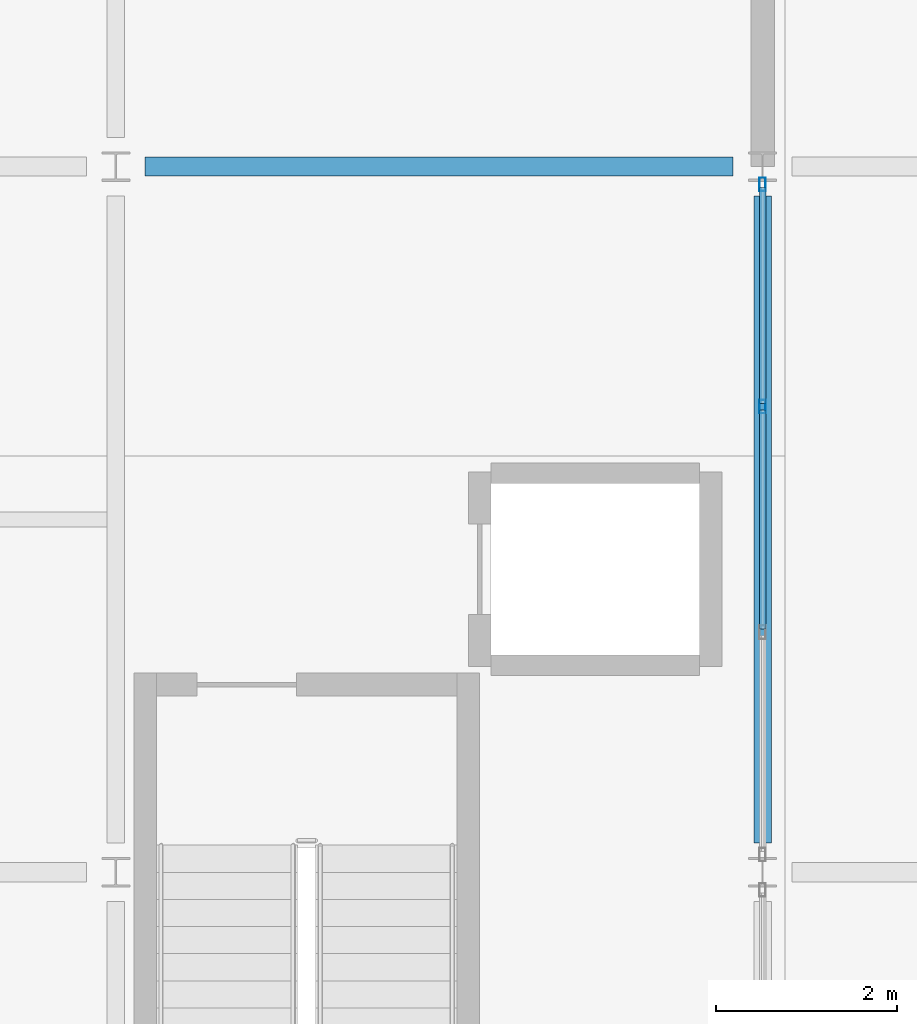
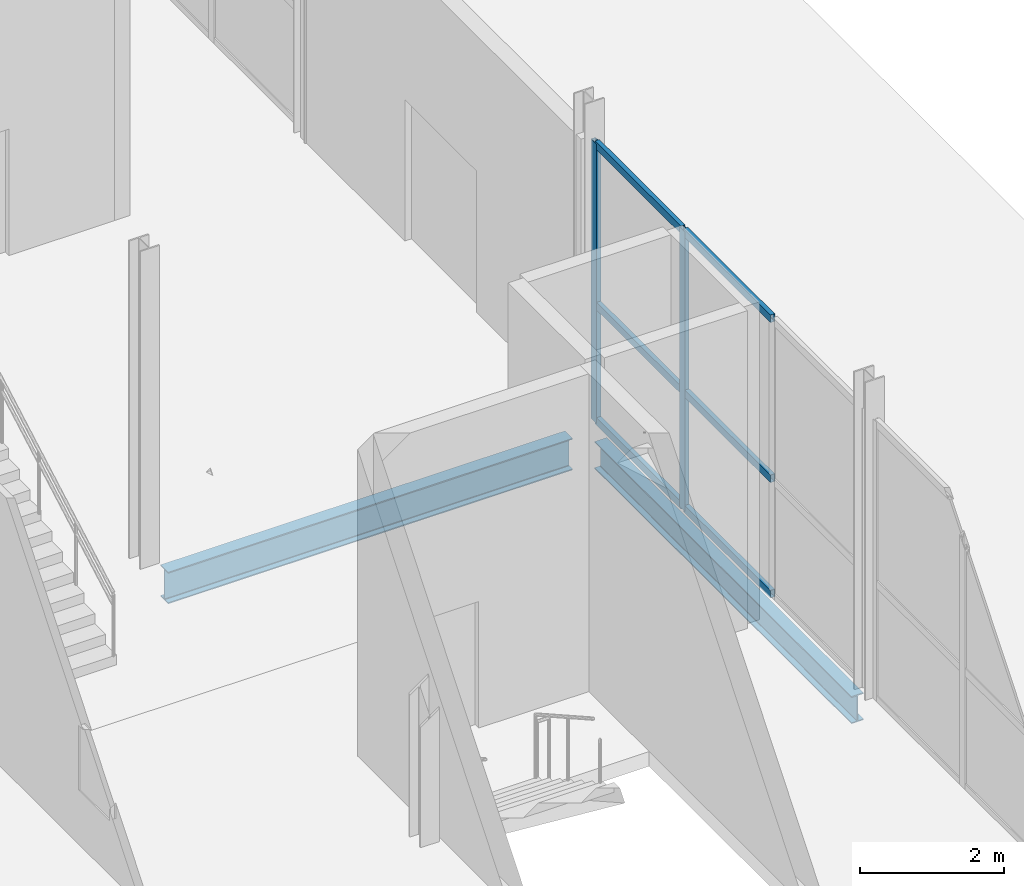
# One storey, part 16 of 83: 8 members, 2 beams, 1 element without a shape of its own.
"""IFC4 building model written with IfcOpenShell, lengths in metres."""

from ifc_helpers import new_model, si_unit, direction, frame, origin, origin_2d, place, context, subcontext, project, spatial, hollow_rectangle, i_section, extrude, material, layer, layer_set, material_profile, profile_set, type_object, element, aggregate, save


model = new_model("IFC4")

# Units and contexts
model_context = context("Model", 3, precision=1e-05, world=origin(), true_north=direction((0.0, 1.0)))
body_context = subcontext(model_context, "Body", "Model", "MODEL_VIEW")
ifc_project = project(units=[si_unit("LENGTHUNIT", "METRE"), si_unit("AREAUNIT", "SQUARE_METRE"), si_unit("VOLUMEUNIT", "CUBIC_METRE"), si_unit("PLANEANGLEUNIT", "RADIAN"), si_unit("MASSUNIT", "GRAM", prefix="KILO")], contexts=[model_context])

# Site, building, storey
site_placement = place(None, origin())
site = spatial("IfcSite", under=ifc_project, at=site_placement, CompositionType="ELEMENT")
building_placement = place(site_placement, origin())
building = spatial("IfcBuilding", under=site, at=building_placement, Name="Quillay Park Conservatory", CompositionType="ELEMENT")
storey_placement = place(building_placement, origin())
storey = spatial("IfcBuildingStorey", under=building, at=storey_placement, Name="L00", CompositionType="ELEMENT", Elevation=0.0)

# Curtain wall, members
ifc_material_1 = material(Name="Thermally Broken Anodised Aluminium 6063-T6", Category="aluminium")
ifc_layer = layer(ifc_material_1, 0.1650390625)
ifc_layer_set = layer_set([ifc_layer], Name="UNITISED CURTAIN WALL PODIUM (Thermally Broken Anodised Aluminium 6063-T6)")
curtain_wall_type = type_object("IfcCurtainWallType", Name="UNITISED CURTAIN WALL PODIUM", PredefinedType="USERDEFINED", material=ifc_layer_set)
curtain_wall_placement = place(storey_placement, origin())
curtain_wall = element("IfcCurtainWall", 1, at=curtain_wall_placement, inside=storey, type_object=curtain_wall_type, Name="L00 Unitised Curtain Wall 197", ObjectType="UNITISED CURTAIN WALL", PredefinedType="USERDEFINED")
ifc_material_2 = material(Name="Thermally Broken Anodised Aluminium 6063-T6", Category="aluminium")
ifc_material_profile_1 = material_profile(ifc_material_2, hollow_rectangle(XDim=0.070068359375, YDim=0.14990234375, WallThickness=0.00341796875, at=origin_2d()), Name="AL70x150x3.5")
ifc_profile_set_1 = profile_set([ifc_material_profile_1], Name="Thermally Broken Anodised Aluminium 6063-T6")
member_type_1 = type_object("IfcMemberType", Name="CURTAIN WALL MULLION 70 X150", PredefinedType="MULLION", material=ifc_profile_set_1)
member_1_placement = place(storey_placement, frame((22.14990234375, 31.0048828125, 0.0), z_axis=(0.0, 0.0, 1.0), x_axis=(1.0, 0.0, 0.0)))
member_1 = element("IfcMember", 2, at=member_1_placement, type_object=member_type_1, Name="CW-P1 mullion 1", PredefinedType="MULLION", context=body_context, shape_type="SweptSolid", body=[
    extrude(hollow_rectangle(XDim=0.070068359375, YDim=0.14990234375, WallThickness=0.00341796875, at=origin_2d()), origin(), (0.0, 0.0, 1.0), 4.7490234375),
])
member_2_placement = place(storey_placement, frame((22.14990234375, 28.546630859375, 0.0), z_axis=(0.0, 0.0, 1.0), x_axis=(1.0, 0.0, 0.0)))
member_2 = element("IfcMember", 3, at=member_2_placement, type_object=member_type_1, Name="CW-P1 mullion 2", PredefinedType="MULLION", context=body_context, shape_type="SweptSolid", body=[
    extrude(hollow_rectangle(XDim=0.070068359375, YDim=0.14990234375, WallThickness=0.00341796875, at=origin_2d()), origin(), (0.0, 0.0, 1.0), 4.7490234375),
])
ifc_material_3 = material(Name="Thermally Broken Anodised Aluminium 6063-T6", Category="aluminium")
ifc_material_profile_2 = material_profile(ifc_material_3, hollow_rectangle(XDim=0.070068359375, YDim=0.1298828125, WallThickness=0.003173828125, at=origin_2d()), Name="AL70x130x3.2")
ifc_profile_set_2 = profile_set([ifc_material_profile_2], Name="Thermally Broken Anodised Aluminium 6063-T6")
member_type_2 = type_object("IfcMemberType", Name="CURTAIN WALL TRANSOM 70 X130", PredefinedType="USERDEFINED", material=ifc_profile_set_2)
member_3_placement = place(storey_placement, frame((22.14990234375, 30.969970703125, 0.034912109375), z_axis=(0.0, -1.0, 0.0), x_axis=(1.0, 0.0, 0.0)))
member_3 = element("IfcMember", 4, at=member_3_placement, type_object=member_type_2, Name="CW-P1 transom 1.1", ObjectType="TRANSOM", PredefinedType="USERDEFINED", context=body_context, shape_type="SweptSolid", body=[
    extrude(hollow_rectangle(XDim=0.070068359375, YDim=0.1298828125, WallThickness=0.003173828125, at=origin_2d()), origin(), (0.0, 0.0, 1.0), 2.38818359375),
])
member_4_placement = place(storey_placement, frame((22.14990234375, 30.969970703125, 1.99462890625), z_axis=(0.0, -1.0, 0.0), x_axis=(1.0, 0.0, 0.0)))
member_4 = element("IfcMember", 5, at=member_4_placement, type_object=member_type_2, Name="CW-P1 transom 1.2", ObjectType="TRANSOM", PredefinedType="USERDEFINED", context=body_context, shape_type="SweptSolid", body=[
    extrude(hollow_rectangle(XDim=0.070068359375, YDim=0.1298828125, WallThickness=0.003173828125, at=origin_2d()), origin(), (0.0, 0.0, 1.0), 2.38818359375),
])
member_5_placement = place(storey_placement, frame((22.14990234375, 30.969970703125, 4.714111328125), z_axis=(0.0, -1.0, 0.0), x_axis=(1.0, 0.0, 0.0)))
member_5 = element("IfcMember", 6, at=member_5_placement, type_object=member_type_2, Name="CW-P1 transom 1.3", ObjectType="TRANSOM", PredefinedType="USERDEFINED", context=body_context, shape_type="SweptSolid", body=[
    extrude(hollow_rectangle(XDim=0.070068359375, YDim=0.1298828125, WallThickness=0.003173828125, at=origin_2d()), origin(), (0.0, 0.0, 1.0), 2.38818359375),
])
member_6_placement = place(storey_placement, frame((22.14990234375, 28.51171875, 0.034912109375), z_axis=(0.0, -1.0, 0.0), x_axis=(1.0, 0.0, 0.0)))
member_6 = element("IfcMember", 7, at=member_6_placement, type_object=member_type_2, Name="CW-P1 transom 2.1", ObjectType="TRANSOM", PredefinedType="USERDEFINED", context=body_context, shape_type="SweptSolid", body=[
    extrude(hollow_rectangle(XDim=0.070068359375, YDim=0.1298828125, WallThickness=0.003173828125, at=origin_2d()), origin(), (0.0, 0.0, 1.0), 2.42333984375),
])
member_7_placement = place(storey_placement, frame((22.14990234375, 28.51171875, 1.99462890625), z_axis=(0.0, -1.0, 0.0), x_axis=(1.0, 0.0, 0.0)))
member_7 = element("IfcMember", 8, at=member_7_placement, type_object=member_type_2, Name="CW-P1 transom 2.2", ObjectType="TRANSOM", PredefinedType="USERDEFINED", context=body_context, shape_type="SweptSolid", body=[
    extrude(hollow_rectangle(XDim=0.070068359375, YDim=0.1298828125, WallThickness=0.003173828125, at=origin_2d()), origin(), (0.0, 0.0, 1.0), 2.42333984375),
])
member_8_placement = place(storey_placement, frame((22.14990234375, 28.51171875, 4.714111328125), z_axis=(0.0, -1.0, 0.0), x_axis=(1.0, 0.0, 0.0)))
member_8 = element("IfcMember", 9, at=member_8_placement, type_object=member_type_2, Name="CW-P1 transom 2.3", ObjectType="TRANSOM", PredefinedType="USERDEFINED", context=body_context, shape_type="SweptSolid", body=[
    extrude(hollow_rectangle(XDim=0.070068359375, YDim=0.1298828125, WallThickness=0.003173828125, at=origin_2d()), origin(), (0.0, 0.0, 1.0), 2.42333984375),
])
aggregate(curtain_wall, [member_1, member_2, member_3, member_4, member_5, member_6, member_7, member_8])

# Beams
ifc_material_4 = material(Name="Steel ASTM A992 Grade 50", Category="steel")
ifc_material_profile_3 = material_profile(ifc_material_4, i_section(OverallWidth=0.19189453125, OverallDepth=0.462890625, WebThickness=0.010498046875, FlangeThickness=0.017578125, FilletRadius=0.012939453125, at=origin_2d()), Name="W460x89")
ifc_profile_set_3 = profile_set([ifc_material_profile_3], Name="Steel ASTM A992 Grade 50")
beam_type_1 = type_object("IfcBeamType", Name="PRIMARY FLOOR GIRDER W460 X89", PredefinedType="BEAM", material=ifc_profile_set_3)
beam_1_placement = place(storey_placement, frame((22.14990234375, 23.72509765625, -0.4814453125), z_axis=(0.0, 1.0, 0.0), x_axis=(-1.0, 0.0, 0.0)))
element("IfcBeam", 10, at=beam_1_placement, inside=storey, type_object=beam_type_1, Name="L00 beam BM-V3Y-1232", PredefinedType="BEAM", context=body_context, shape_type="SweptSolid", body=[
    extrude(i_section(OverallWidth=0.19189453125, OverallDepth=0.462890625, WebThickness=0.010498046875, FlangeThickness=0.017578125, FilletRadius=0.012939453125, at=origin_2d()), origin(), (0.0, 0.0, 1.0), 7.14990234375),
])
ifc_material_5 = material(Name="Steel ASTM A992 Grade 50", Category="steel")
ifc_material_profile_4 = material_profile(ifc_material_5, i_section(OverallWidth=0.2109375, OverallDepth=0.5390625, WebThickness=0.01171875, FlangeThickness=0.018798828125, FilletRadius=0.013916015625, at=origin_2d()), Name="W530x109")
ifc_profile_set_4 = profile_set([ifc_material_profile_4], Name="Steel ASTM A992 Grade 50")
beam_type_2 = type_object("IfcBeamType", Name="PRIMARY FLOOR GIRDER W530 X109", PredefinedType="BEAM", material=ifc_profile_set_4)
beam_2_placement = place(storey_placement, frame((15.324951171875, 31.199951171875, -0.51953125), z_axis=(1.0, 0.0, 0.0), x_axis=(0.0, 1.0, 0.0)))
element("IfcBeam", 11, at=beam_2_placement, inside=storey, type_object=beam_type_2, Name="L00 beam BM-V3X-1195", PredefinedType="BEAM", context=body_context, shape_type="SweptSolid", body=[
    extrude(i_section(OverallWidth=0.2109375, OverallDepth=0.5390625, WebThickness=0.01171875, FlangeThickness=0.018798828125, FilletRadius=0.013916015625, at=origin_2d()), origin(), (0.0, 0.0, 1.0), 6.5),
])

save(model, "model.ifc")
